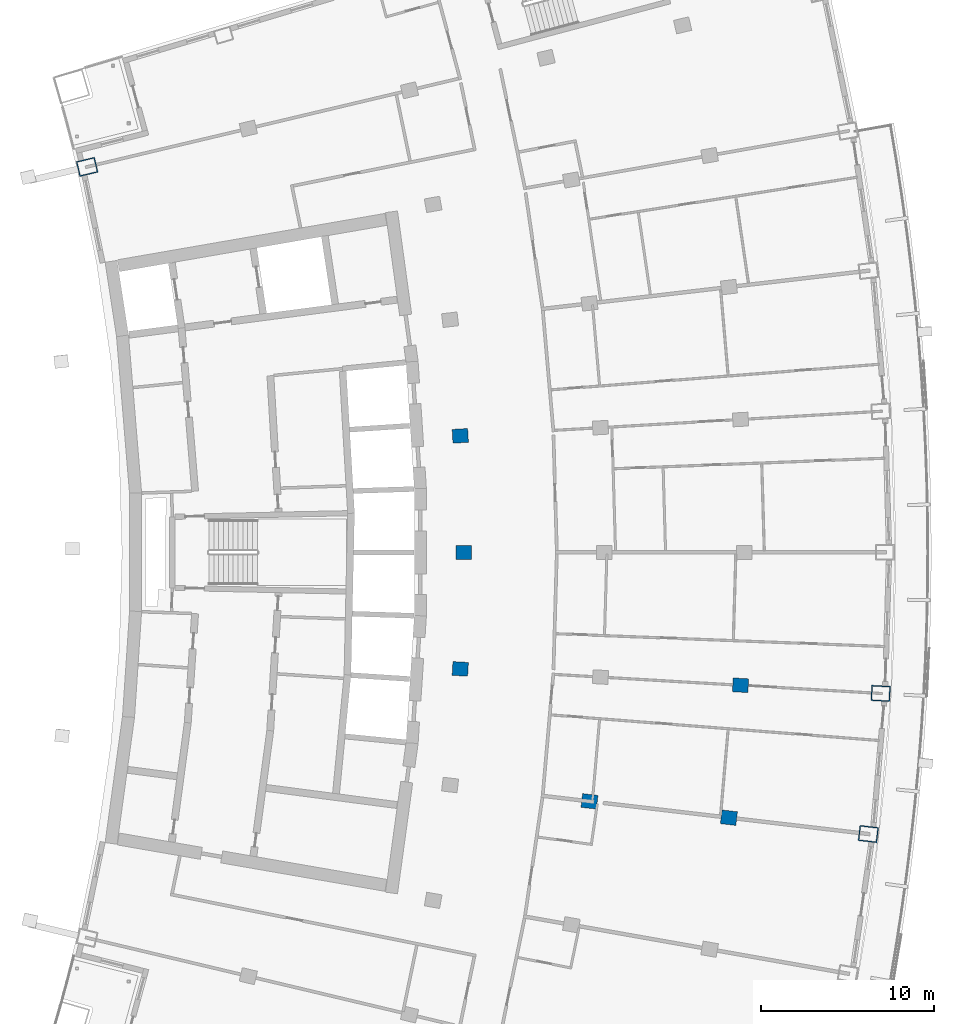
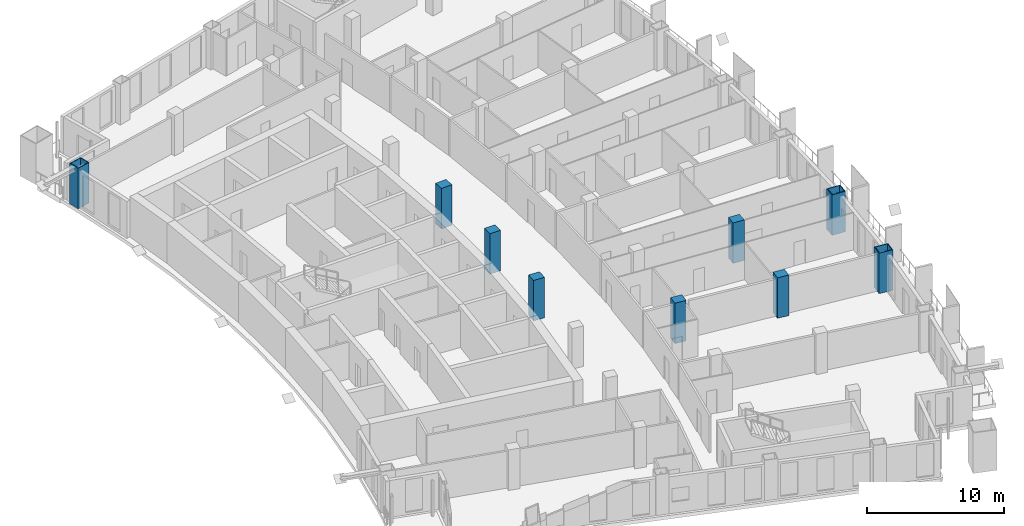
# One storey, part 4 of 21: 9 columns.
"""IFC4 building model written with IfcOpenShell, lengths in metres."""

from ifc_helpers import new_model, si_unit, direction, frame, origin, origin_2d, place, context, subcontext, project, spatial, rectangle, hollow_rectangle, extrude, material, material_profile, profile_set, type_object, element, save


model = new_model("IFC4")

# Units and contexts
model_context = context("Model", 3, precision=1e-05, world=origin(), true_north=direction((0.0, 1.0)))
body_context = subcontext(model_context, "Body", "Model", "MODEL_VIEW")
ifc_project = project(units=[si_unit("LENGTHUNIT", "METRE"), si_unit("AREAUNIT", "SQUARE_METRE"), si_unit("VOLUMEUNIT", "CUBIC_METRE"), si_unit("PLANEANGLEUNIT", "RADIAN"), si_unit("MASSUNIT", "GRAM", prefix="KILO")], contexts=[model_context])

# Site, building, storey
site_placement = place(None, origin())
site = spatial("IfcSite", under=ifc_project, at=site_placement, CompositionType="ELEMENT")
building_placement = place(site_placement, origin())
building = spatial("IfcBuilding", under=site, at=building_placement, Name="Alderwake Tower", CompositionType="ELEMENT")
storey_placement = place(building_placement, frame((0.0, 0.0, 146.0)))
storey = spatial("IfcBuildingStorey", under=building, at=storey_placement, Name="L35", CompositionType="ELEMENT", Elevation=146.0)

# Columns
ifc_material_1 = material(Name="Concrete C70/85", Category="concrete")
ifc_material_profile_1 = material_profile(ifc_material_1, rectangle(XDim=0.800048828125, YDim=0.89990234375, at=origin_2d()), Name="RC 900X800")
ifc_profile_set_1 = profile_set([ifc_material_profile_1], Name="Concrete C70/85")
column_type_1 = type_object("IfcColumnType", Name="Interior column Z3", PredefinedType="COLUMN", material=ifc_profile_set_1)
for number, where, z_axis, x_axis, name in (
    (1, (43.0908203125, 46.573974609375, 0.0), (0.0, 0.0, 1.0), (0.116402054316, 0.993202175668, 0.0), "Column R05-C3"),
    (2, (51.1689453125, 45.627197265625, 0.0), (0.0, 0.0, 1.0), (0.116402054316, 0.993202175668, 0.0), "Column R05-C4"),
    (3, (35.60302734375, 54.248779296875, 0.0), (0.0, 0.0, 1.0), (0.058301061284, 0.998299046505, 0.0), "Column R06-C2"),
    (4, (51.842041015625, 53.300537109375, 0.0), (0.0, 0.0, 1.0), (0.058299318924, 0.998299148258, 0.0), "Column R06-C4"),
    (5, (35.800048828125, 61.0, 0.0), (0.0, 0.0, 1.0), (0.0, 1.0, 0.0), "Column R07-C2"),
    (6, (35.60302734375, 67.751220703125, 0.0), (0.0, 0.0, 1.0), (-0.058301061284, 0.998299046505, 0.0), "Column R08-C2"),
):
    element("IfcColumn", number, at=place(storey_placement, frame(where, z_axis=z_axis, x_axis=x_axis)), inside=storey, type_object=column_type_1, Name=name, PredefinedType="COLUMN", context=body_context, shape_type="SweptSolid", body=[
        extrude(rectangle(XDim=0.800048828125, YDim=0.89990234375, at=origin_2d()), origin(), (0.0, 0.0, 1.0), 3.60009765625),
    ])
ifc_material_2 = material(Name="Steel ASTM A572 Grade 50 concrete filled C70/85", Category="concrete")
ifc_material_profile_2 = material_profile(ifc_material_2, hollow_rectangle(XDim=0.89990234375, YDim=1.10009765625, WallThickness=0.06005859375, at=origin_2d()), Name="BOX 1100X900X60")
ifc_profile_set_2 = profile_set([ifc_material_profile_2], Name="Steel ASTM A572 Grade 50 concrete filled C70/85")
column_type_2 = type_object("IfcColumnType", Name="Perimeter column Z3", PredefinedType="COLUMN", material=ifc_profile_set_2)
for number, where, z_axis, x_axis, name in (
    (7, (59.246826171875, 44.680419921875, 0.0), (0.0, 0.0, 1.0), (0.116402054316, 0.993202175668, 0.0), "Column R05-C5"),
    (8, (59.96142578125, 52.826416015625, 0.0), (0.0, 0.0, 1.0), (0.058301061284, 0.998299046505, 0.0), "Column R06-C5"),
    (9, (13.982177734375, 83.3359375, 0.0), (0.0, 0.0, 1.0), (-0.231221547198, 0.972901123502, 0.0), "Column R11-C0"),
):
    element("IfcColumn", number, at=place(storey_placement, frame(where, z_axis=z_axis, x_axis=x_axis)), inside=storey, type_object=column_type_2, Name=name, PredefinedType="COLUMN", context=body_context, shape_type="SweptSolid", body=[
        extrude(hollow_rectangle(XDim=0.89990234375, YDim=1.10009765625, WallThickness=0.06005859375, at=origin_2d()), origin(), (0.0, 0.0, 1.0), 3.60009765625),
    ])

save(model, "model.ifc")
